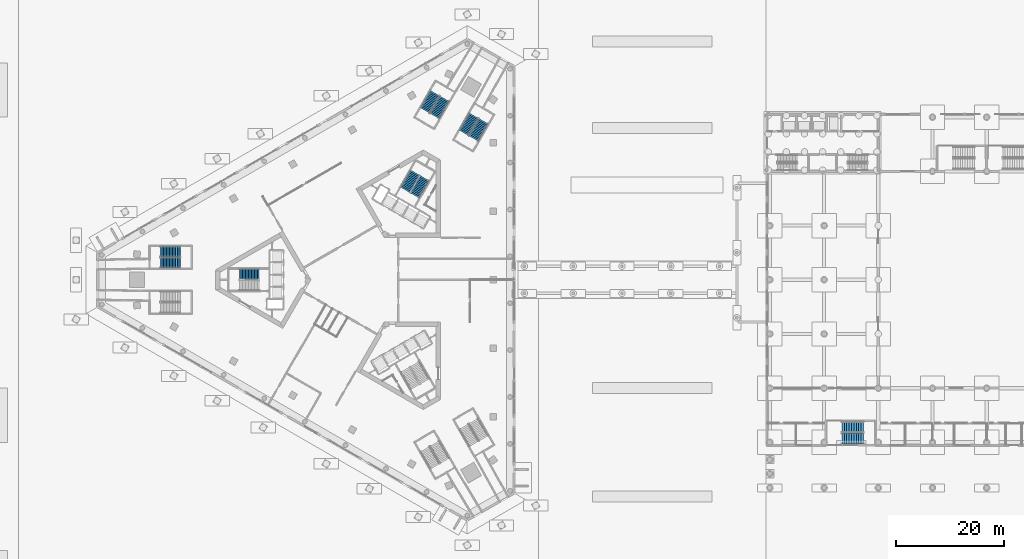
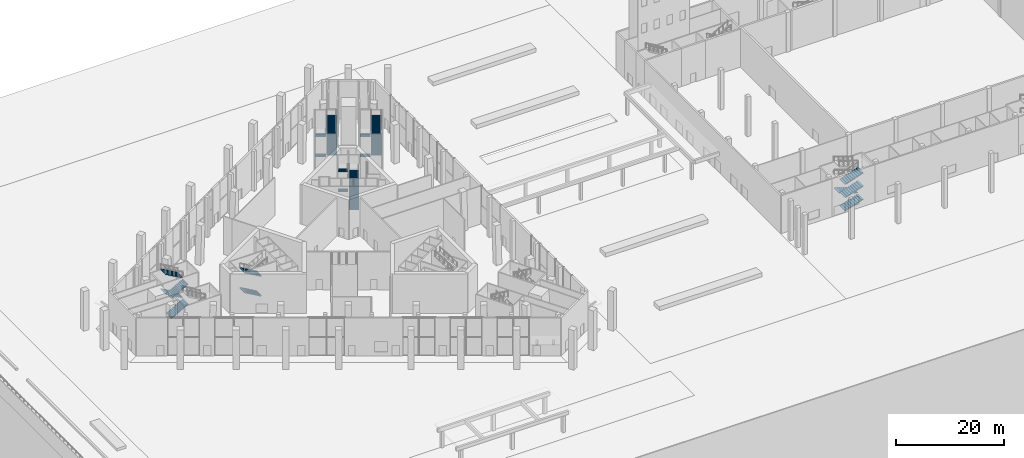
# One storey, part 41 of 63: 22 stair flights, 6 elements without a shape of their own.
"""IFC4 building model written with IfcOpenShell, lengths in metres."""

from ifc_helpers import new_model, si_unit, direction, frame, origin, place, context, subcontext, project, spatial, polyline, outline, extrude, material, type_object, element, aggregate, save


model = new_model("IFC4")

# Units and contexts
model_context = context("Model", 3, precision=1e-05, world=origin(), true_north=direction((0.0, 1.0)))
body_context = subcontext(model_context, "Body", "Model", "MODEL_VIEW")
ifc_project = project(units=[si_unit("LENGTHUNIT", "METRE"), si_unit("AREAUNIT", "SQUARE_METRE"), si_unit("VOLUMEUNIT", "CUBIC_METRE"), si_unit("PLANEANGLEUNIT", "RADIAN"), si_unit("MASSUNIT", "GRAM", prefix="KILO")], contexts=[model_context])

# Site, building, storey
site_placement = place(None, origin())
site = spatial("IfcSite", under=ifc_project, at=site_placement, CompositionType="ELEMENT")
building_placement = place(site_placement, origin())
building = spatial("IfcBuilding", under=site, at=building_placement, Name="Jabali Bay Hotel Tower and Convention Centre", CompositionType="ELEMENT")
storey_placement = place(building_placement, origin())
storey = spatial("IfcBuildingStorey", under=building, at=storey_placement, Name="L00", CompositionType="ELEMENT", Elevation=0.0)

# Stair, stair flights
ifc_material = material(Name="Concrete C40", Category="concrete")
stair_type_1 = type_object("IfcStairType", Name="CC Dogleg Stair 1350", PredefinedType="HALF_TURN_STAIR", material=ifc_material)
stair_1_placement = place(storey_placement, origin())
stair_1 = element("IfcStair", 1, at=stair_1_placement, inside=storey, type_object=stair_type_1, Name="L00 South Exit Stair 1", PredefinedType="HALF_TURN_STAIR")
stair_flight_type_1 = type_object("IfcStairFlightType", Name="CC Stair Flight 1350", PredefinedType="STRAIGHT", material=ifc_material)
stair_flight_1_placement = place(storey_placement, frame((164.0, 50.699951171875, 0.0), z_axis=(0.0, 0.0, 1.0), x_axis=(1.0, 0.0, 0.0)))
stair_flight_1 = element("IfcStairFlight", 2, at=stair_flight_1_placement, type_object=stair_flight_type_1, Name="CC-STS1 flight 1", NumberOfRisers=10, NumberOfTreads=9, PredefinedType="STRAIGHT", RiserHeight=0.15, TreadLength=0.44, context=body_context, shape_type="SweptSolid", body=[
    extrude(outline(polyline([(0.0, 0.0), (0.0, 0.14990234375), (0.43994140625, 0.14990234375), (0.43994140625, 0.300048828125), (0.8798828125, 0.300048828125), (0.8798828125, 0.449951171875), (1.320068359375, 0.449951171875), (1.320068359375, 0.60009765625), (1.760009765625, 0.60009765625), (1.760009765625, 0.75), (2.199951171875, 0.75), (2.199951171875, 0.89990234375), (2.639892578125, 0.89990234375), (2.639892578125, 1.050048828125), (3.080078125, 1.050048828125), (3.080078125, 1.199951171875), (3.52001953125, 1.199951171875), (3.52001953125, 1.35009765625), (3.9599609375, 1.35009765625), (3.9599609375, 1.5), (3.9599609375, 1.191650390625), (0.464599609375, 0.0), (0.0, 0.0)])), frame((0.0, 1.0, 0.0), z_axis=(0.0, -1.0, 0.0), x_axis=(1.0, 0.0, 0.0)), (0.0, 0.0, 1.0), 2.0),
])
stair_flight_2_placement = place(storey_placement, frame((167.9599609375, 52.800048828125, 1.5), z_axis=(0.0, 0.0, 1.0), x_axis=(-1.0, 0.0, 0.0)))
stair_flight_2 = element("IfcStairFlight", 3, at=stair_flight_2_placement, type_object=stair_flight_type_1, Name="CC-STS1 flight 2", NumberOfRisers=10, NumberOfTreads=9, PredefinedType="STRAIGHT", RiserHeight=0.15, TreadLength=0.44, context=body_context, shape_type="SweptSolid", body=[
    extrude(outline(polyline([(0.0, 0.0), (0.0, 0.14990234375), (0.43994140625, 0.14990234375), (0.43994140625, 0.300048828125), (0.8798828125, 0.300048828125), (0.8798828125, 0.449951171875), (1.320068359375, 0.449951171875), (1.320068359375, 0.60009765625), (1.760009765625, 0.60009765625), (1.760009765625, 0.75), (2.199951171875, 0.75), (2.199951171875, 0.89990234375), (2.639892578125, 0.89990234375), (2.639892578125, 1.050048828125), (3.080078125, 1.050048828125), (3.080078125, 1.199951171875), (3.52001953125, 1.199951171875), (3.52001953125, 1.35009765625), (3.9599609375, 1.35009765625), (3.9599609375, 1.5), (3.9599609375, 1.191650390625), (0.464599609375, 0.0), (0.0, 0.0)])), frame((0.0, 1.0, 0.0), z_axis=(0.0, -1.0, 0.0), x_axis=(1.0, 0.0, 0.0)), (0.0, 0.0, 1.0), 2.0),
])
stair_flight_3_placement = place(storey_placement, frame((164.0, 50.699951171875, 3.0), z_axis=(0.0, 0.0, 1.0), x_axis=(1.0, 0.0, 0.0)))
stair_flight_3 = element("IfcStairFlight", 4, at=stair_flight_3_placement, type_object=stair_flight_type_1, Name="CC-STS1 flight 3", NumberOfRisers=10, NumberOfTreads=9, PredefinedType="STRAIGHT", RiserHeight=0.15, TreadLength=0.44, context=body_context, shape_type="SweptSolid", body=[
    extrude(outline(polyline([(0.0, 0.0), (0.0, 0.14990234375), (0.43994140625, 0.14990234375), (0.43994140625, 0.300048828125), (0.8798828125, 0.300048828125), (0.8798828125, 0.449951171875), (1.320068359375, 0.449951171875), (1.320068359375, 0.60009765625), (1.760009765625, 0.60009765625), (1.760009765625, 0.75), (2.199951171875, 0.75), (2.199951171875, 0.89990234375), (2.639892578125, 0.89990234375), (2.639892578125, 1.050048828125), (3.080078125, 1.050048828125), (3.080078125, 1.199951171875), (3.52001953125, 1.199951171875), (3.52001953125, 1.35009765625), (3.9599609375, 1.35009765625), (3.9599609375, 1.5), (3.9599609375, 1.191650390625), (0.464599609375, 0.0), (0.0, 0.0)])), frame((0.0, 1.0, 0.0), z_axis=(0.0, -1.0, 0.0), x_axis=(1.0, 0.0, 0.0)), (0.0, 0.0, 1.0), 2.0),
])
stair_flight_4_placement = place(storey_placement, frame((164.0, 50.699951171875, 6.0), z_axis=(0.0, 0.0, 1.0), x_axis=(1.0, 0.0, 0.0)))
stair_flight_4 = element("IfcStairFlight", 5, at=stair_flight_4_placement, type_object=stair_flight_type_1, Name="CC-STS1 flight 5", NumberOfRisers=10, NumberOfTreads=9, PredefinedType="STRAIGHT", RiserHeight=0.15, TreadLength=0.44, context=body_context, shape_type="SweptSolid", body=[
    extrude(outline(polyline([(0.0, 0.0), (0.0, 0.14990234375), (0.43994140625, 0.14990234375), (0.43994140625, 0.300048828125), (0.8798828125, 0.300048828125), (0.8798828125, 0.449951171875), (1.320068359375, 0.449951171875), (1.320068359375, 0.60009765625), (1.760009765625, 0.60009765625), (1.760009765625, 0.75), (2.199951171875, 0.75), (2.199951171875, 0.89990234375), (2.639892578125, 0.89990234375), (2.639892578125, 1.050048828125), (3.080078125, 1.050048828125), (3.080078125, 1.199951171875), (3.52001953125, 1.199951171875), (3.52001953125, 1.35009765625), (3.9599609375, 1.35009765625), (3.9599609375, 1.5), (3.9599609375, 1.191650390625), (0.464599609375, 0.0), (0.0, 0.0)])), frame((0.0, 1.0, 0.0), z_axis=(0.0, -1.0, 0.0), x_axis=(1.0, 0.0, 0.0)), (0.0, 0.0, 1.0), 2.0),
])
aggregate(stair_1, [stair_flight_1, stair_flight_2, stair_flight_3, stair_flight_4])

stair_type_2 = type_object("IfcStairType", Name="Exit stair 1900", PredefinedType="HALF_TURN_STAIR", material=ifc_material)
stair_2_placement = place(storey_placement, origin())
stair_2 = element("IfcStair", 6, at=stair_2_placement, inside=storey, type_object=stair_type_2, Name="L00 Exit Stair 1", PredefinedType="HALF_TURN_STAIR")
stair_flight_type_2 = type_object("IfcStairFlightType", Name="Stair flight concrete 150", PredefinedType="STRAIGHT", material=ifc_material)
stair_flight_5_placement = place(storey_placement, frame((56.419921875, 81.02490234375, 0.0), z_axis=(0.0, 0.0, 1.0), x_axis=(-1.0, 0.0, 0.0)))
stair_flight_5 = element("IfcStairFlight", 7, at=stair_flight_5_placement, type_object=stair_flight_type_2, Name="ST1 flight 1", NumberOfRisers=14, NumberOfTreads=13, PredefinedType="STRAIGHT", RiserHeight=0.160714286, TreadLength=0.28, context=body_context, shape_type="SweptSolid", body=[
    extrude(outline(polyline([(0.0, 0.0), (0.0, 0.16064453125), (0.280029296875, 0.16064453125), (0.280029296875, 0.321533203125), (0.56005859375, 0.321533203125), (0.56005859375, 0.482177734375), (0.840087890625, 0.482177734375), (0.840087890625, 0.642822265625), (1.1201171875, 0.642822265625), (1.1201171875, 0.803466796875), (1.39990234375, 0.803466796875), (1.39990234375, 0.96435546875), (1.679931640625, 0.96435546875), (1.679931640625, 1.125), (1.9599609375, 1.125), (1.9599609375, 1.28564453125), (2.239990234375, 1.28564453125), (2.239990234375, 1.446533203125), (2.52001953125, 1.446533203125), (2.52001953125, 1.607177734375), (2.800048828125, 1.607177734375), (2.800048828125, 1.767822265625), (3.080078125, 1.767822265625), (3.080078125, 1.928466796875), (3.360107421875, 1.928466796875), (3.360107421875, 2.08935546875), (3.639892578125, 2.08935546875), (3.639892578125, 2.25), (3.639892578125, 1.91650390625), (0.301025390625, 0.0), (0.0, 0.0)])), frame((0.0, 0.949951171875, 0.0), z_axis=(0.0, -1.0, 0.0), x_axis=(1.0, 0.0, 0.0)), (0.0, 0.0, 1.0), 1.89990234375),
])
stair_flight_6_placement = place(storey_placement, frame((56.419921875, 81.02490234375, 4.5), z_axis=(0.0, 0.0, 1.0), x_axis=(-1.0, 0.0, 0.0)))
stair_flight_6 = element("IfcStairFlight", 8, at=stair_flight_6_placement, type_object=stair_flight_type_2, Name="ST1 flight 3", NumberOfRisers=14, NumberOfTreads=13, PredefinedType="STRAIGHT", RiserHeight=0.160714286, TreadLength=0.28, context=body_context, shape_type="SweptSolid", body=[
    extrude(outline(polyline([(0.0, 0.0), (0.0, 0.16064453125), (0.280029296875, 0.16064453125), (0.280029296875, 0.321533203125), (0.56005859375, 0.321533203125), (0.56005859375, 0.482177734375), (0.840087890625, 0.482177734375), (0.840087890625, 0.642822265625), (1.1201171875, 0.642822265625), (1.1201171875, 0.803466796875), (1.39990234375, 0.803466796875), (1.39990234375, 0.96435546875), (1.679931640625, 0.96435546875), (1.679931640625, 1.125), (1.9599609375, 1.125), (1.9599609375, 1.28564453125), (2.239990234375, 1.28564453125), (2.239990234375, 1.446533203125), (2.52001953125, 1.446533203125), (2.52001953125, 1.607177734375), (2.800048828125, 1.607177734375), (2.800048828125, 1.767822265625), (3.080078125, 1.767822265625), (3.080078125, 1.928466796875), (3.360107421875, 1.928466796875), (3.360107421875, 2.08935546875), (3.639892578125, 2.08935546875), (3.639892578125, 2.25), (3.639892578125, 1.91650390625), (0.301025390625, 0.0), (0.0, 0.0)])), frame((0.0, 0.949951171875, 0.0), z_axis=(0.0, -1.0, 0.0), x_axis=(1.0, 0.0, 0.0)), (0.0, 0.0, 1.0), 1.89990234375),
])
aggregate(stair_2, [stair_flight_5, stair_flight_6])

stair_3_placement = place(storey_placement, origin())
stair_3 = element("IfcStair", 9, at=stair_3_placement, inside=storey, type_object=stair_type_2, Name="L00 Exit Stair 2", PredefinedType="HALF_TURN_STAIR")
stair_flight_7_placement = place(storey_placement, frame((85.177734375, 95.578369140625, 0.0), z_axis=(0.0, 0.0, 1.0), x_axis=(0.5, 0.866025403784, 0.0)))
stair_flight_7 = element("IfcStairFlight", 10, at=stair_flight_7_placement, type_object=stair_flight_type_2, Name="ST2 flight 1", NumberOfRisers=14, NumberOfTreads=13, PredefinedType="STRAIGHT", RiserHeight=0.160714286, TreadLength=0.28, context=body_context, shape_type="SweptSolid", body=[
    extrude(outline(polyline([(0.0, 0.0), (0.0, 0.16064453125), (0.280029296875, 0.16064453125), (0.280029296875, 0.321533203125), (0.56005859375, 0.321533203125), (0.56005859375, 0.482177734375), (0.840087890625, 0.482177734375), (0.840087890625, 0.642822265625), (1.1201171875, 0.642822265625), (1.1201171875, 0.803466796875), (1.39990234375, 0.803466796875), (1.39990234375, 0.96435546875), (1.679931640625, 0.96435546875), (1.679931640625, 1.125), (1.9599609375, 1.125), (1.9599609375, 1.28564453125), (2.239990234375, 1.28564453125), (2.239990234375, 1.446533203125), (2.52001953125, 1.446533203125), (2.52001953125, 1.607177734375), (2.800048828125, 1.607177734375), (2.800048828125, 1.767822265625), (3.080078125, 1.767822265625), (3.080078125, 1.928466796875), (3.360107421875, 1.928466796875), (3.360107421875, 2.08935546875), (3.639892578125, 2.08935546875), (3.639892578125, 2.25), (3.639892578125, 1.91650390625), (0.301025390625, 0.0), (0.0, 0.0)])), frame((0.0, 0.949951171875, 0.0), z_axis=(0.0, -1.0, 0.0), x_axis=(1.0, 0.0, 0.0)), (0.0, 0.0, 1.0), 1.89990234375),
])
stair_flight_8_placement = place(storey_placement, frame((85.222412109375, 99.755615234375, 2.25), z_axis=(0.0, 0.0, 1.0), x_axis=(-0.5, -0.866025403784, 0.0)))
stair_flight_8 = element("IfcStairFlight", 11, at=stair_flight_8_placement, type_object=stair_flight_type_2, Name="ST2 flight 2", NumberOfRisers=14, NumberOfTreads=13, PredefinedType="STRAIGHT", RiserHeight=0.160714286, TreadLength=0.28, context=body_context, shape_type="SweptSolid", body=[
    extrude(outline(polyline([(0.0, 0.0), (0.0, 0.16064453125), (0.280029296875, 0.16064453125), (0.280029296875, 0.321533203125), (0.56005859375, 0.321533203125), (0.56005859375, 0.482177734375), (0.840087890625, 0.482177734375), (0.840087890625, 0.642822265625), (1.1201171875, 0.642822265625), (1.1201171875, 0.803466796875), (1.39990234375, 0.803466796875), (1.39990234375, 0.96435546875), (1.679931640625, 0.96435546875), (1.679931640625, 1.125), (1.9599609375, 1.125), (1.9599609375, 1.28564453125), (2.239990234375, 1.28564453125), (2.239990234375, 1.446533203125), (2.52001953125, 1.446533203125), (2.52001953125, 1.607177734375), (2.800048828125, 1.607177734375), (2.800048828125, 1.767822265625), (3.080078125, 1.767822265625), (3.080078125, 1.928466796875), (3.360107421875, 1.928466796875), (3.360107421875, 2.08935546875), (3.639892578125, 2.08935546875), (3.639892578125, 2.25), (3.639892578125, 1.91650390625), (0.301025390625, 0.0), (0.0, 0.0)])), frame((0.0, 0.949951171875, 0.0), z_axis=(0.0, -1.0, 0.0), x_axis=(1.0, 0.0, 0.0)), (0.0, 0.0, 1.0), 1.89990234375),
])
stair_flight_9_placement = place(storey_placement, frame((85.177734375, 95.578369140625, 4.5), z_axis=(0.0, 0.0, 1.0), x_axis=(0.5, 0.866025403784, 0.0)))
stair_flight_9 = element("IfcStairFlight", 12, at=stair_flight_9_placement, type_object=stair_flight_type_2, Name="ST2 flight 3", NumberOfRisers=14, NumberOfTreads=13, PredefinedType="STRAIGHT", RiserHeight=0.160714286, TreadLength=0.28, context=body_context, shape_type="SweptSolid", body=[
    extrude(outline(polyline([(0.0, 0.0), (0.0, 0.16064453125), (0.280029296875, 0.16064453125), (0.280029296875, 0.321533203125), (0.56005859375, 0.321533203125), (0.56005859375, 0.482177734375), (0.840087890625, 0.482177734375), (0.840087890625, 0.642822265625), (1.1201171875, 0.642822265625), (1.1201171875, 0.803466796875), (1.39990234375, 0.803466796875), (1.39990234375, 0.96435546875), (1.679931640625, 0.96435546875), (1.679931640625, 1.125), (1.9599609375, 1.125), (1.9599609375, 1.28564453125), (2.239990234375, 1.28564453125), (2.239990234375, 1.446533203125), (2.52001953125, 1.446533203125), (2.52001953125, 1.607177734375), (2.800048828125, 1.607177734375), (2.800048828125, 1.767822265625), (3.080078125, 1.767822265625), (3.080078125, 1.928466796875), (3.360107421875, 1.928466796875), (3.360107421875, 2.08935546875), (3.639892578125, 2.08935546875), (3.639892578125, 2.25), (3.639892578125, 1.91650390625), (0.301025390625, 0.0), (0.0, 0.0)])), frame((0.0, 0.949951171875, 0.0), z_axis=(0.0, -1.0, 0.0), x_axis=(1.0, 0.0, 0.0)), (0.0, 0.0, 1.0), 1.89990234375),
])
stair_flight_10_placement = place(storey_placement, frame((85.222412109375, 99.755615234375, 6.75), z_axis=(0.0, 0.0, 1.0), x_axis=(-0.5, -0.866025403784, 0.0)))
stair_flight_10 = element("IfcStairFlight", 13, at=stair_flight_10_placement, type_object=stair_flight_type_2, Name="ST2 flight 4", NumberOfRisers=14, NumberOfTreads=13, PredefinedType="STRAIGHT", RiserHeight=0.160714286, TreadLength=0.28, context=body_context, shape_type="SweptSolid", body=[
    extrude(outline(polyline([(0.0, 0.0), (0.0, 0.16064453125), (0.280029296875, 0.16064453125), (0.280029296875, 0.321533203125), (0.56005859375, 0.321533203125), (0.56005859375, 0.482177734375), (0.840087890625, 0.482177734375), (0.840087890625, 0.642822265625), (1.1201171875, 0.642822265625), (1.1201171875, 0.803466796875), (1.39990234375, 0.803466796875), (1.39990234375, 0.96435546875), (1.679931640625, 0.96435546875), (1.679931640625, 1.125), (1.9599609375, 1.125), (1.9599609375, 1.28564453125), (2.239990234375, 1.28564453125), (2.239990234375, 1.446533203125), (2.52001953125, 1.446533203125), (2.52001953125, 1.607177734375), (2.800048828125, 1.607177734375), (2.800048828125, 1.767822265625), (3.080078125, 1.767822265625), (3.080078125, 1.928466796875), (3.360107421875, 1.928466796875), (3.360107421875, 2.08935546875), (3.639892578125, 2.08935546875), (3.639892578125, 2.25), (3.639892578125, 1.91650390625), (0.301025390625, 0.0), (0.0, 0.0)])), frame((0.0, 0.949951171875, 0.0), z_axis=(0.0, -1.0, 0.0), x_axis=(1.0, 0.0, 0.0)), (0.0, 0.0, 1.0), 1.89990234375),
])
aggregate(stair_3, [stair_flight_7, stair_flight_8, stair_flight_9, stair_flight_10])

stair_type_3 = type_object("IfcStairType", Name="Podium stair 1950", PredefinedType="HALF_TURN_STAIR", material=ifc_material)
stair_4_placement = place(storey_placement, origin())
stair_4 = element("IfcStair", 14, at=stair_4_placement, inside=storey, type_object=stair_type_3, Name="L00 Podium Exit Stair 2", PredefinedType="HALF_TURN_STAIR")
stair_flight_11_placement = place(storey_placement, frame((38.25, 83.125, 0.0), z_axis=(0.0, 0.0, 1.0), x_axis=(1.0, 0.0, 0.0)))
stair_flight_11 = element("IfcStairFlight", 15, at=stair_flight_11_placement, type_object=stair_flight_type_2, Name="PS2 flight 1", NumberOfRisers=14, NumberOfTreads=13, PredefinedType="STRAIGHT", RiserHeight=0.160714286, TreadLength=0.28, context=body_context, shape_type="SweptSolid", body=[
    extrude(outline(polyline([(0.0, 0.0), (0.0, 0.16064453125), (0.280029296875, 0.16064453125), (0.280029296875, 0.321533203125), (0.56005859375, 0.321533203125), (0.56005859375, 0.482177734375), (0.840087890625, 0.482177734375), (0.840087890625, 0.642822265625), (1.1201171875, 0.642822265625), (1.1201171875, 0.803466796875), (1.39990234375, 0.803466796875), (1.39990234375, 0.96435546875), (1.679931640625, 0.96435546875), (1.679931640625, 1.125), (1.9599609375, 1.125), (1.9599609375, 1.28564453125), (2.239990234375, 1.28564453125), (2.239990234375, 1.446533203125), (2.52001953125, 1.446533203125), (2.52001953125, 1.607177734375), (2.800048828125, 1.607177734375), (2.800048828125, 1.767822265625), (3.080078125, 1.767822265625), (3.080078125, 1.928466796875), (3.360107421875, 1.928466796875), (3.360107421875, 2.08935546875), (3.639892578125, 2.08935546875), (3.639892578125, 2.25), (3.639892578125, 1.91650390625), (0.301025390625, 0.0), (0.0, 0.0)])), frame((0.0, 0.97509765625, 0.0), z_axis=(0.0, -1.0, 0.0), x_axis=(1.0, 0.0, 0.0)), (0.0, 0.0, 1.0), 1.949951171875),
])
stair_flight_12_placement = place(storey_placement, frame((41.889892578125, 85.175048828125, 2.25), z_axis=(0.0, 0.0, 1.0), x_axis=(-1.0, 0.0, 0.0)))
stair_flight_12 = element("IfcStairFlight", 16, at=stair_flight_12_placement, type_object=stair_flight_type_2, Name="PS2 flight 2", NumberOfRisers=14, NumberOfTreads=13, PredefinedType="STRAIGHT", RiserHeight=0.160714286, TreadLength=0.28, context=body_context, shape_type="SweptSolid", body=[
    extrude(outline(polyline([(0.0, 0.0), (0.0, 0.16064453125), (0.280029296875, 0.16064453125), (0.280029296875, 0.321533203125), (0.56005859375, 0.321533203125), (0.56005859375, 0.482177734375), (0.840087890625, 0.482177734375), (0.840087890625, 0.642822265625), (1.1201171875, 0.642822265625), (1.1201171875, 0.803466796875), (1.39990234375, 0.803466796875), (1.39990234375, 0.96435546875), (1.679931640625, 0.96435546875), (1.679931640625, 1.125), (1.9599609375, 1.125), (1.9599609375, 1.28564453125), (2.239990234375, 1.28564453125), (2.239990234375, 1.446533203125), (2.52001953125, 1.446533203125), (2.52001953125, 1.607177734375), (2.800048828125, 1.607177734375), (2.800048828125, 1.767822265625), (3.080078125, 1.767822265625), (3.080078125, 1.928466796875), (3.360107421875, 1.928466796875), (3.360107421875, 2.08935546875), (3.639892578125, 2.08935546875), (3.639892578125, 2.25), (3.639892578125, 1.91650390625), (0.301025390625, 0.0), (0.0, 0.0)])), frame((0.0, 0.97509765625, 0.0), z_axis=(0.0, -1.0, 0.0), x_axis=(1.0, 0.0, 0.0)), (0.0, 0.0, 1.0), 1.949951171875),
])
stair_flight_13_placement = place(storey_placement, frame((38.25, 83.125, 4.5), z_axis=(0.0, 0.0, 1.0), x_axis=(1.0, 0.0, 0.0)))
stair_flight_13 = element("IfcStairFlight", 17, at=stair_flight_13_placement, type_object=stair_flight_type_2, Name="PS2 flight 3", NumberOfRisers=14, NumberOfTreads=13, PredefinedType="STRAIGHT", RiserHeight=0.160714286, TreadLength=0.28, context=body_context, shape_type="SweptSolid", body=[
    extrude(outline(polyline([(0.0, 0.0), (0.0, 0.16064453125), (0.280029296875, 0.16064453125), (0.280029296875, 0.321533203125), (0.56005859375, 0.321533203125), (0.56005859375, 0.482177734375), (0.840087890625, 0.482177734375), (0.840087890625, 0.642822265625), (1.1201171875, 0.642822265625), (1.1201171875, 0.803466796875), (1.39990234375, 0.803466796875), (1.39990234375, 0.96435546875), (1.679931640625, 0.96435546875), (1.679931640625, 1.125), (1.9599609375, 1.125), (1.9599609375, 1.28564453125), (2.239990234375, 1.28564453125), (2.239990234375, 1.446533203125), (2.52001953125, 1.446533203125), (2.52001953125, 1.607177734375), (2.800048828125, 1.607177734375), (2.800048828125, 1.767822265625), (3.080078125, 1.767822265625), (3.080078125, 1.928466796875), (3.360107421875, 1.928466796875), (3.360107421875, 2.08935546875), (3.639892578125, 2.08935546875), (3.639892578125, 2.25), (3.639892578125, 1.91650390625), (0.301025390625, 0.0), (0.0, 0.0)])), frame((0.0, 0.97509765625, 0.0), z_axis=(0.0, -1.0, 0.0), x_axis=(1.0, 0.0, 0.0)), (0.0, 0.0, 1.0), 1.949951171875),
])
stair_flight_14_placement = place(storey_placement, frame((41.889892578125, 85.175048828125, 6.75), z_axis=(0.0, 0.0, 1.0), x_axis=(-1.0, 0.0, 0.0)))
stair_flight_14 = element("IfcStairFlight", 18, at=stair_flight_14_placement, type_object=stair_flight_type_2, Name="PS2 flight 4", NumberOfRisers=14, NumberOfTreads=13, PredefinedType="STRAIGHT", RiserHeight=0.160714286, TreadLength=0.28, context=body_context, shape_type="SweptSolid", body=[
    extrude(outline(polyline([(0.0, 0.0), (0.0, 0.16064453125), (0.280029296875, 0.16064453125), (0.280029296875, 0.321533203125), (0.56005859375, 0.321533203125), (0.56005859375, 0.482177734375), (0.840087890625, 0.482177734375), (0.840087890625, 0.642822265625), (1.1201171875, 0.642822265625), (1.1201171875, 0.803466796875), (1.39990234375, 0.803466796875), (1.39990234375, 0.96435546875), (1.679931640625, 0.96435546875), (1.679931640625, 1.125), (1.9599609375, 1.125), (1.9599609375, 1.28564453125), (2.239990234375, 1.28564453125), (2.239990234375, 1.446533203125), (2.52001953125, 1.446533203125), (2.52001953125, 1.607177734375), (2.800048828125, 1.607177734375), (2.800048828125, 1.767822265625), (3.080078125, 1.767822265625), (3.080078125, 1.928466796875), (3.360107421875, 1.928466796875), (3.360107421875, 2.08935546875), (3.639892578125, 2.08935546875), (3.639892578125, 2.25), (3.639892578125, 1.91650390625), (0.301025390625, 0.0), (0.0, 0.0)])), frame((0.0, 0.97509765625, 0.0), z_axis=(0.0, -1.0, 0.0), x_axis=(1.0, 0.0, 0.0)), (0.0, 0.0, 1.0), 1.949951171875),
])
aggregate(stair_4, [stair_flight_11, stair_flight_12, stair_flight_13, stair_flight_14])

stair_5_placement = place(storey_placement, origin())
stair_5 = element("IfcStair", 19, at=stair_5_placement, inside=storey, type_object=stair_type_3, Name="L00 Podium Exit Stair 3", PredefinedType="HALF_TURN_STAIR")
stair_flight_15_placement = place(storey_placement, frame((88.893310546875, 114.413818359375, 0.0), z_axis=(0.0, 0.0, 1.0), x_axis=(-0.5, -0.866025403784, 0.0)))
stair_flight_15 = element("IfcStairFlight", 20, at=stair_flight_15_placement, type_object=stair_flight_type_2, Name="PS3 flight 1", NumberOfRisers=14, NumberOfTreads=13, PredefinedType="STRAIGHT", RiserHeight=0.160714286, TreadLength=0.28, context=body_context, shape_type="SweptSolid", body=[
    extrude(outline(polyline([(0.0, 0.0), (0.0, 0.16064453125), (0.280029296875, 0.16064453125), (0.280029296875, 0.321533203125), (0.56005859375, 0.321533203125), (0.56005859375, 0.482177734375), (0.840087890625, 0.482177734375), (0.840087890625, 0.642822265625), (1.1201171875, 0.642822265625), (1.1201171875, 0.803466796875), (1.39990234375, 0.803466796875), (1.39990234375, 0.96435546875), (1.679931640625, 0.96435546875), (1.679931640625, 1.125), (1.9599609375, 1.125), (1.9599609375, 1.28564453125), (2.239990234375, 1.28564453125), (2.239990234375, 1.446533203125), (2.52001953125, 1.446533203125), (2.52001953125, 1.607177734375), (2.800048828125, 1.607177734375), (2.800048828125, 1.767822265625), (3.080078125, 1.767822265625), (3.080078125, 1.928466796875), (3.360107421875, 1.928466796875), (3.360107421875, 2.08935546875), (3.639892578125, 2.08935546875), (3.639892578125, 2.25), (3.639892578125, 1.91650390625), (0.301025390625, 0.0), (0.0, 0.0)])), frame((0.0, 0.97509765625, 0.0), z_axis=(0.0, -1.0, 0.0), x_axis=(1.0, 0.0, 0.0)), (0.0, 0.0, 1.0), 1.949951171875),
])
stair_flight_16_placement = place(storey_placement, frame((88.8486328125, 110.236572265625, 2.25), z_axis=(0.0, 0.0, 1.0), x_axis=(0.5, 0.866025403784, 0.0)))
stair_flight_16 = element("IfcStairFlight", 21, at=stair_flight_16_placement, type_object=stair_flight_type_2, Name="PS3 flight 2", NumberOfRisers=14, NumberOfTreads=13, PredefinedType="STRAIGHT", RiserHeight=0.160714286, TreadLength=0.28, context=body_context, shape_type="SweptSolid", body=[
    extrude(outline(polyline([(0.0, 0.0), (0.0, 0.16064453125), (0.280029296875, 0.16064453125), (0.280029296875, 0.321533203125), (0.56005859375, 0.321533203125), (0.56005859375, 0.482177734375), (0.840087890625, 0.482177734375), (0.840087890625, 0.642822265625), (1.1201171875, 0.642822265625), (1.1201171875, 0.803466796875), (1.39990234375, 0.803466796875), (1.39990234375, 0.96435546875), (1.679931640625, 0.96435546875), (1.679931640625, 1.125), (1.9599609375, 1.125), (1.9599609375, 1.28564453125), (2.239990234375, 1.28564453125), (2.239990234375, 1.446533203125), (2.52001953125, 1.446533203125), (2.52001953125, 1.607177734375), (2.800048828125, 1.607177734375), (2.800048828125, 1.767822265625), (3.080078125, 1.767822265625), (3.080078125, 1.928466796875), (3.360107421875, 1.928466796875), (3.360107421875, 2.08935546875), (3.639892578125, 2.08935546875), (3.639892578125, 2.25), (3.639892578125, 1.91650390625), (0.301025390625, 0.0), (0.0, 0.0)])), frame((0.0, 0.97509765625, 0.0), z_axis=(0.0, -1.0, 0.0), x_axis=(1.0, 0.0, 0.0)), (0.0, 0.0, 1.0), 1.949951171875),
])
stair_flight_17_placement = place(storey_placement, frame((88.893310546875, 114.413818359375, 4.5), z_axis=(0.0, 0.0, 1.0), x_axis=(-0.5, -0.866025403784, 0.0)))
stair_flight_17 = element("IfcStairFlight", 22, at=stair_flight_17_placement, type_object=stair_flight_type_2, Name="PS3 flight 3", NumberOfRisers=14, NumberOfTreads=13, PredefinedType="STRAIGHT", RiserHeight=0.160714286, TreadLength=0.28, context=body_context, shape_type="SweptSolid", body=[
    extrude(outline(polyline([(0.0, 0.0), (0.0, 0.16064453125), (0.280029296875, 0.16064453125), (0.280029296875, 0.321533203125), (0.56005859375, 0.321533203125), (0.56005859375, 0.482177734375), (0.840087890625, 0.482177734375), (0.840087890625, 0.642822265625), (1.1201171875, 0.642822265625), (1.1201171875, 0.803466796875), (1.39990234375, 0.803466796875), (1.39990234375, 0.96435546875), (1.679931640625, 0.96435546875), (1.679931640625, 1.125), (1.9599609375, 1.125), (1.9599609375, 1.28564453125), (2.239990234375, 1.28564453125), (2.239990234375, 1.446533203125), (2.52001953125, 1.446533203125), (2.52001953125, 1.607177734375), (2.800048828125, 1.607177734375), (2.800048828125, 1.767822265625), (3.080078125, 1.767822265625), (3.080078125, 1.928466796875), (3.360107421875, 1.928466796875), (3.360107421875, 2.08935546875), (3.639892578125, 2.08935546875), (3.639892578125, 2.25), (3.639892578125, 1.91650390625), (0.301025390625, 0.0), (0.0, 0.0)])), frame((0.0, 0.97509765625, 0.0), z_axis=(0.0, -1.0, 0.0), x_axis=(1.0, 0.0, 0.0)), (0.0, 0.0, 1.0), 1.949951171875),
])
stair_flight_18_placement = place(storey_placement, frame((88.8486328125, 110.236572265625, 6.75), z_axis=(0.0, 0.0, 1.0), x_axis=(0.5, 0.866025403784, 0.0)))
stair_flight_18 = element("IfcStairFlight", 23, at=stair_flight_18_placement, type_object=stair_flight_type_2, Name="PS3 flight 4", NumberOfRisers=14, NumberOfTreads=13, PredefinedType="STRAIGHT", RiserHeight=0.160714286, TreadLength=0.28, context=body_context, shape_type="SweptSolid", body=[
    extrude(outline(polyline([(0.0, 0.0), (0.0, 0.16064453125), (0.280029296875, 0.16064453125), (0.280029296875, 0.321533203125), (0.56005859375, 0.321533203125), (0.56005859375, 0.482177734375), (0.840087890625, 0.482177734375), (0.840087890625, 0.642822265625), (1.1201171875, 0.642822265625), (1.1201171875, 0.803466796875), (1.39990234375, 0.803466796875), (1.39990234375, 0.96435546875), (1.679931640625, 0.96435546875), (1.679931640625, 1.125), (1.9599609375, 1.125), (1.9599609375, 1.28564453125), (2.239990234375, 1.28564453125), (2.239990234375, 1.446533203125), (2.52001953125, 1.446533203125), (2.52001953125, 1.607177734375), (2.800048828125, 1.607177734375), (2.800048828125, 1.767822265625), (3.080078125, 1.767822265625), (3.080078125, 1.928466796875), (3.360107421875, 1.928466796875), (3.360107421875, 2.08935546875), (3.639892578125, 2.08935546875), (3.639892578125, 2.25), (3.639892578125, 1.91650390625), (0.301025390625, 0.0), (0.0, 0.0)])), frame((0.0, 0.97509765625, 0.0), z_axis=(0.0, -1.0, 0.0), x_axis=(1.0, 0.0, 0.0)), (0.0, 0.0, 1.0), 1.949951171875),
])
aggregate(stair_5, [stair_flight_15, stair_flight_16, stair_flight_17, stair_flight_18])

stair_6_placement = place(storey_placement, origin())
stair_6 = element("IfcStair", 24, at=stair_6_placement, inside=storey, type_object=stair_type_3, Name="L00 Podium Exit Stair 4", PredefinedType="HALF_TURN_STAIR")
stair_flight_19_placement = place(storey_placement, frame((96.081298828125, 110.263916015625, 0.0), z_axis=(0.0, 0.0, 1.0), x_axis=(-0.5, -0.866025403784, 0.0)))
stair_flight_19 = element("IfcStairFlight", 25, at=stair_flight_19_placement, type_object=stair_flight_type_2, Name="PS4 flight 1", NumberOfRisers=14, NumberOfTreads=13, PredefinedType="STRAIGHT", RiserHeight=0.160714286, TreadLength=0.28, context=body_context, shape_type="SweptSolid", body=[
    extrude(outline(polyline([(0.0, 0.0), (0.0, 0.16064453125), (0.280029296875, 0.16064453125), (0.280029296875, 0.321533203125), (0.56005859375, 0.321533203125), (0.56005859375, 0.482177734375), (0.840087890625, 0.482177734375), (0.840087890625, 0.642822265625), (1.1201171875, 0.642822265625), (1.1201171875, 0.803466796875), (1.39990234375, 0.803466796875), (1.39990234375, 0.96435546875), (1.679931640625, 0.96435546875), (1.679931640625, 1.125), (1.9599609375, 1.125), (1.9599609375, 1.28564453125), (2.239990234375, 1.28564453125), (2.239990234375, 1.446533203125), (2.52001953125, 1.446533203125), (2.52001953125, 1.607177734375), (2.800048828125, 1.607177734375), (2.800048828125, 1.767822265625), (3.080078125, 1.767822265625), (3.080078125, 1.928466796875), (3.360107421875, 1.928466796875), (3.360107421875, 2.08935546875), (3.639892578125, 2.08935546875), (3.639892578125, 2.25), (3.639892578125, 1.91650390625), (0.301025390625, 0.0), (0.0, 0.0)])), frame((0.0, 0.97509765625, 0.0), z_axis=(0.0, -1.0, 0.0), x_axis=(1.0, 0.0, 0.0)), (0.0, 0.0, 1.0), 1.949951171875),
])
stair_flight_20_placement = place(storey_placement, frame((96.03662109375, 106.086669921875, 2.25), z_axis=(0.0, 0.0, 1.0), x_axis=(0.5, 0.866025403784, 0.0)))
stair_flight_20 = element("IfcStairFlight", 26, at=stair_flight_20_placement, type_object=stair_flight_type_2, Name="PS4 flight 2", NumberOfRisers=14, NumberOfTreads=13, PredefinedType="STRAIGHT", RiserHeight=0.160714286, TreadLength=0.28, context=body_context, shape_type="SweptSolid", body=[
    extrude(outline(polyline([(0.0, 0.0), (0.0, 0.16064453125), (0.280029296875, 0.16064453125), (0.280029296875, 0.321533203125), (0.56005859375, 0.321533203125), (0.56005859375, 0.482177734375), (0.840087890625, 0.482177734375), (0.840087890625, 0.642822265625), (1.1201171875, 0.642822265625), (1.1201171875, 0.803466796875), (1.39990234375, 0.803466796875), (1.39990234375, 0.96435546875), (1.679931640625, 0.96435546875), (1.679931640625, 1.125), (1.9599609375, 1.125), (1.9599609375, 1.28564453125), (2.239990234375, 1.28564453125), (2.239990234375, 1.446533203125), (2.52001953125, 1.446533203125), (2.52001953125, 1.607177734375), (2.800048828125, 1.607177734375), (2.800048828125, 1.767822265625), (3.080078125, 1.767822265625), (3.080078125, 1.928466796875), (3.360107421875, 1.928466796875), (3.360107421875, 2.08935546875), (3.639892578125, 2.08935546875), (3.639892578125, 2.25), (3.639892578125, 1.91650390625), (0.301025390625, 0.0), (0.0, 0.0)])), frame((0.0, 0.97509765625, 0.0), z_axis=(0.0, -1.0, 0.0), x_axis=(1.0, 0.0, 0.0)), (0.0, 0.0, 1.0), 1.949951171875),
])
stair_flight_21_placement = place(storey_placement, frame((96.081298828125, 110.263916015625, 4.5), z_axis=(0.0, 0.0, 1.0), x_axis=(-0.5, -0.866025403784, 0.0)))
stair_flight_21 = element("IfcStairFlight", 27, at=stair_flight_21_placement, type_object=stair_flight_type_2, Name="PS4 flight 3", NumberOfRisers=14, NumberOfTreads=13, PredefinedType="STRAIGHT", RiserHeight=0.160714286, TreadLength=0.28, context=body_context, shape_type="SweptSolid", body=[
    extrude(outline(polyline([(0.0, 0.0), (0.0, 0.16064453125), (0.280029296875, 0.16064453125), (0.280029296875, 0.321533203125), (0.56005859375, 0.321533203125), (0.56005859375, 0.482177734375), (0.840087890625, 0.482177734375), (0.840087890625, 0.642822265625), (1.1201171875, 0.642822265625), (1.1201171875, 0.803466796875), (1.39990234375, 0.803466796875), (1.39990234375, 0.96435546875), (1.679931640625, 0.96435546875), (1.679931640625, 1.125), (1.9599609375, 1.125), (1.9599609375, 1.28564453125), (2.239990234375, 1.28564453125), (2.239990234375, 1.446533203125), (2.52001953125, 1.446533203125), (2.52001953125, 1.607177734375), (2.800048828125, 1.607177734375), (2.800048828125, 1.767822265625), (3.080078125, 1.767822265625), (3.080078125, 1.928466796875), (3.360107421875, 1.928466796875), (3.360107421875, 2.08935546875), (3.639892578125, 2.08935546875), (3.639892578125, 2.25), (3.639892578125, 1.91650390625), (0.301025390625, 0.0), (0.0, 0.0)])), frame((0.0, 0.97509765625, 0.0), z_axis=(0.0, -1.0, 0.0), x_axis=(1.0, 0.0, 0.0)), (0.0, 0.0, 1.0), 1.949951171875),
])
stair_flight_22_placement = place(storey_placement, frame((96.03662109375, 106.086669921875, 6.75), z_axis=(0.0, 0.0, 1.0), x_axis=(0.5, 0.866025403784, 0.0)))
stair_flight_22 = element("IfcStairFlight", 28, at=stair_flight_22_placement, type_object=stair_flight_type_2, Name="PS4 flight 4", NumberOfRisers=14, NumberOfTreads=13, PredefinedType="STRAIGHT", RiserHeight=0.160714286, TreadLength=0.28, context=body_context, shape_type="SweptSolid", body=[
    extrude(outline(polyline([(0.0, 0.0), (0.0, 0.16064453125), (0.280029296875, 0.16064453125), (0.280029296875, 0.321533203125), (0.56005859375, 0.321533203125), (0.56005859375, 0.482177734375), (0.840087890625, 0.482177734375), (0.840087890625, 0.642822265625), (1.1201171875, 0.642822265625), (1.1201171875, 0.803466796875), (1.39990234375, 0.803466796875), (1.39990234375, 0.96435546875), (1.679931640625, 0.96435546875), (1.679931640625, 1.125), (1.9599609375, 1.125), (1.9599609375, 1.28564453125), (2.239990234375, 1.28564453125), (2.239990234375, 1.446533203125), (2.52001953125, 1.446533203125), (2.52001953125, 1.607177734375), (2.800048828125, 1.607177734375), (2.800048828125, 1.767822265625), (3.080078125, 1.767822265625), (3.080078125, 1.928466796875), (3.360107421875, 1.928466796875), (3.360107421875, 2.08935546875), (3.639892578125, 2.08935546875), (3.639892578125, 2.25), (3.639892578125, 1.91650390625), (0.301025390625, 0.0), (0.0, 0.0)])), frame((0.0, 0.97509765625, 0.0), z_axis=(0.0, -1.0, 0.0), x_axis=(1.0, 0.0, 0.0)), (0.0, 0.0, 1.0), 1.949951171875),
])
aggregate(stair_6, [stair_flight_19, stair_flight_20, stair_flight_21, stair_flight_22])

save(model, "model.ifc")
